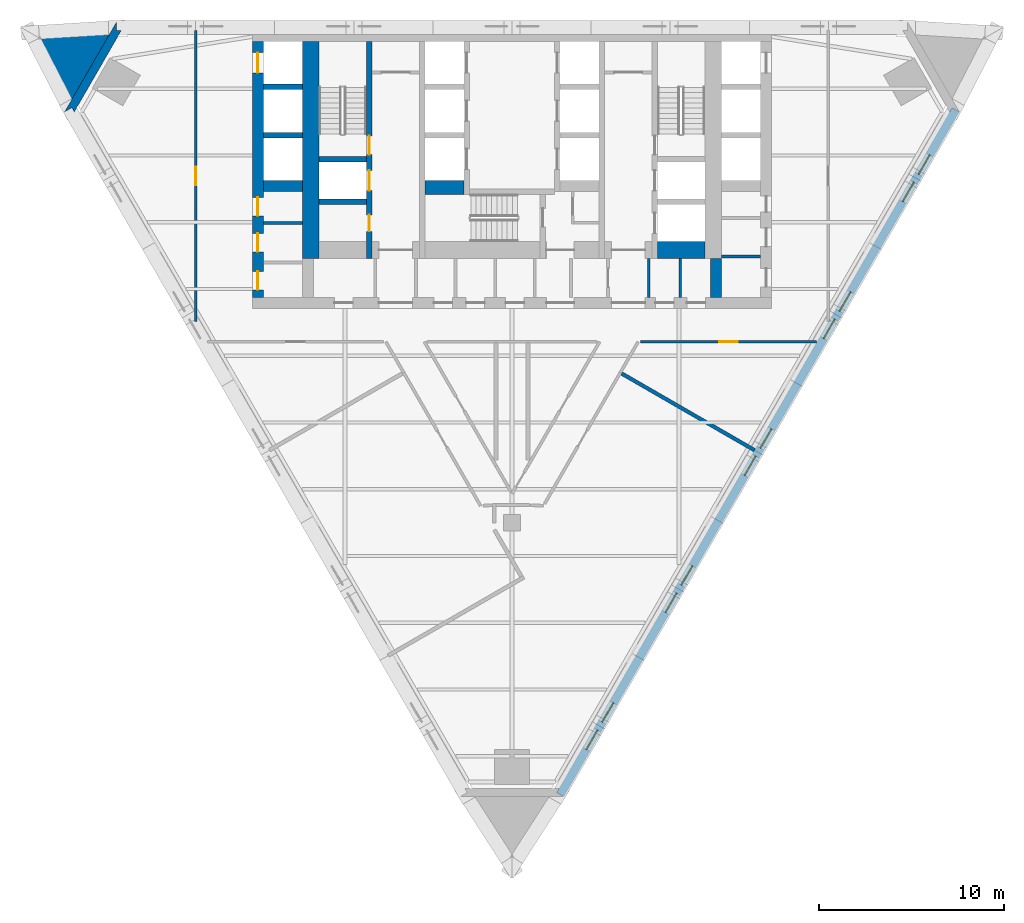
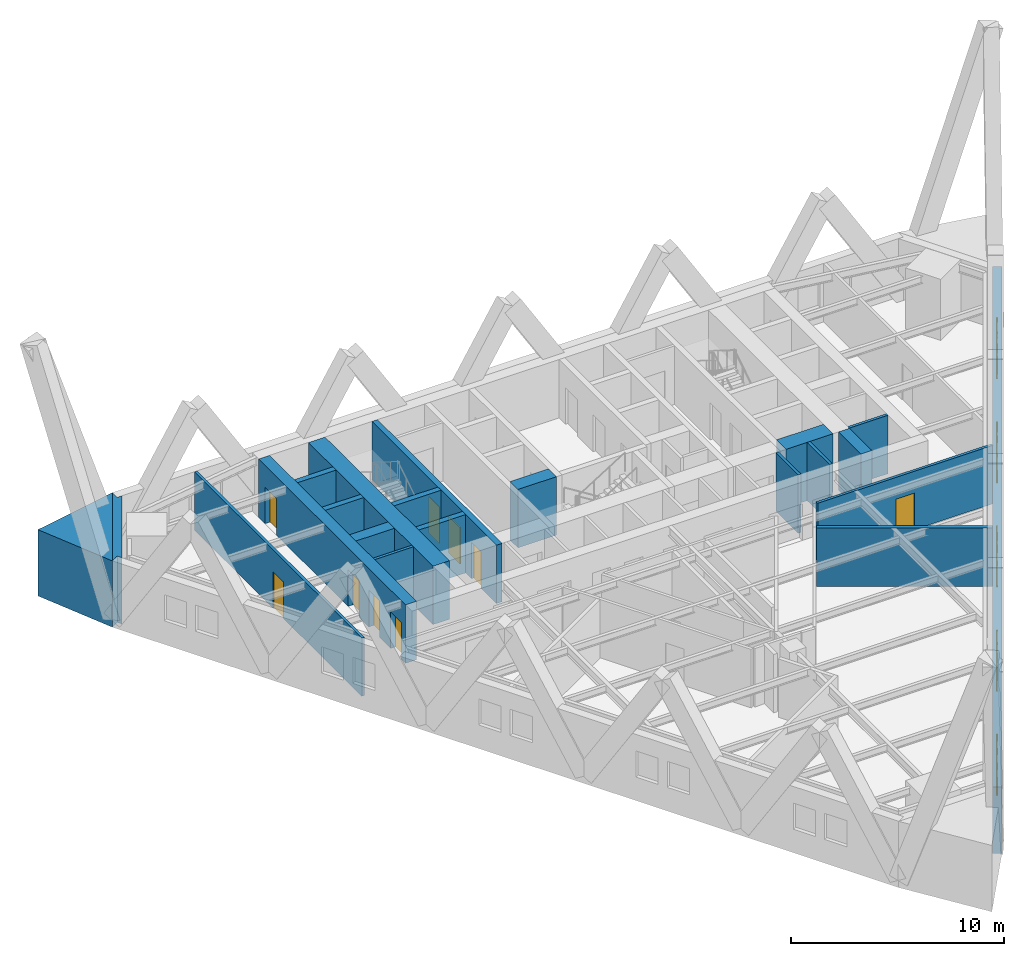
# One storey, part 4 of 7: 21 walls, 10 windows, 9 doors, 19 openings.
"""IFC4 building model written with IfcOpenShell, lengths in metres."""

from ifc_helpers import new_model, si_unit, direction, frame, frame_2d, origin, place, context, subcontext, project, spatial, polyline, rectangle, outline, extrude, material, layer, layer_set, type_object, element, fill, save


model = new_model("IFC4")

# Units and contexts
model_context = context("Model", 3, precision=1e-05, world=origin(), true_north=direction((0.0, 1.0)))
body_context = subcontext(model_context, "Body", "Model", "MODEL_VIEW")
ifc_project = project(units=[si_unit("LENGTHUNIT", "METRE"), si_unit("AREAUNIT", "SQUARE_METRE"), si_unit("VOLUMEUNIT", "CUBIC_METRE"), si_unit("PLANEANGLEUNIT", "RADIAN"), si_unit("MASSUNIT", "GRAM", prefix="KILO")], contexts=[model_context])

# Site, building, storey
site_placement = place(None, origin())
site = spatial("IfcSite", under=ifc_project, at=site_placement, CompositionType="ELEMENT")
building_placement = place(site_placement, origin())
building = spatial("IfcBuilding", under=site, at=building_placement, Name="Aloe Facet Convention Tower", CompositionType="ELEMENT")
storey_placement = place(building_placement, frame((0.0, 0.0, 81.800048828125)))
storey = spatial("IfcBuildingStorey", under=building, at=storey_placement, Name="L19", CompositionType="ELEMENT", Elevation=81.800048828125)

# Walls
ifc_material_1 = material(Name="Concrete blockwork partition", Category="masonry")
ifc_layer_1 = layer(ifc_material_1, 0.14990234375)
ifc_layer_set_1 = layer_set([ifc_layer_1], Name="CR-W-PART150")
wall_type_1 = type_object("IfcWallType", Name="CR-W-PART150", PredefinedType="PARTITIONING", material=ifc_layer_set_1)
wall_1_placement = place(storey_placement, frame((66.60009765625, 124.16455078125, 0.0), z_axis=(0.0, 0.0, 1.0), x_axis=(1.0, 0.0, 0.0)))
element("IfcWall", 1, at=wall_1_placement, inside=storey, type_object=wall_type_1, Name="Core partition L19-007", PredefinedType="PARTITIONING", context=body_context, shape_type="SweptSolid", body=[
    extrude(rectangle(XDim=2.099853515625, YDim=0.14990234375, at=frame_2d((1.0498046875, 0.0))), origin(), (0.0, 0.0, 1.0), 3.349853515625),
])
for number, where, z_axis, x_axis, name in (
    (2, (87.375, 122.25, 0.0), (0.0, 0.0, 1.0), (0.0, -1.0, 0.0), "Core partition L19-042"),
    (3, (89.074951171875, 122.25, 0.0), (0.0, 0.0, 1.0), (0.0, -1.0, 0.0), "Core partition L19-047"),
):
    element("IfcWall", number, at=place(storey_placement, frame(where, z_axis=z_axis, x_axis=x_axis)), inside=storey, type_object=wall_type_1, Name=name, PredefinedType="PARTITIONING", context=body_context, shape_type="SweptSolid", body=[
        extrude(rectangle(XDim=2.10009765625, YDim=0.14990234375, at=frame_2d((1.050048828125, 0.0))), origin(), (0.0, 0.0, 1.0), 3.349853515625),
    ])
wall_2_placement = place(storey_placement, frame((91.300048828125, 122.346435546875, 0.0), z_axis=(0.0, 0.0, 1.0), x_axis=(1.0, 0.0, 0.0)))
element("IfcWall", 4, at=wall_2_placement, inside=storey, type_object=wall_type_1, Name="Core partition L19-054", PredefinedType="PARTITIONING", context=body_context, shape_type="SweptSolid", body=[
    extrude(rectangle(XDim=2.099853515625, YDim=0.14990234375, at=frame_2d((1.0498046875, 0.0))), origin(), (0.0, 0.0, 1.0), 3.349853515625),
])
ifc_material_2 = material(Name="Concrete C70/85", Category="concrete")
ifc_layer_2 = layer(ifc_material_2, 0.300048828125)
ifc_layer_set_2 = layer_set([ifc_layer_2], Name="CR-W-RC300-C7085")
wall_type_2 = type_object("IfcWallType", Name="CR-W-RC300-C7085", PredefinedType="SOLIDWALL", material=ifc_layer_set_2)
for number, where, z_axis, x_axis, name in (
    (5, (66.60009765625, 131.5, 0.0), (0.0, 0.0, 1.0), (1.0, 0.0, 0.0), "Core wall L19-004"),
    (6, (66.60009765625, 128.89990234375, 0.0), (0.0, 0.0, 1.0), (1.0, 0.0, 0.0), "Core wall L19-005"),
):
    element("IfcWall", number, at=place(storey_placement, frame(where, z_axis=z_axis, x_axis=x_axis)), inside=storey, type_object=wall_type_2, Name=name, PredefinedType="SOLIDWALL", context=body_context, shape_type="SweptSolid", body=[
        extrude(rectangle(XDim=2.099853515625, YDim=0.300048828125, at=frame_2d((1.0498046875, 0.0))), origin(), (0.0, 0.0, 1.0), 3.349853515625),
    ])
for number, where, z_axis, x_axis, name in (
    (7, (69.60009765625, 127.60009765625, 0.0), (0.0, 0.0, 1.0), (1.0, 0.0, 0.0), "Core wall L19-011"),
    (8, (69.60009765625, 125.300048828125, 0.0), (0.0, 0.0, 1.0), (1.0, 0.0, 0.0), "Core wall L19-012"),
):
    element("IfcWall", number, at=place(storey_placement, frame(where, z_axis=z_axis, x_axis=x_axis)), inside=storey, type_object=wall_type_2, Name=name, PredefinedType="SOLIDWALL", context=body_context, shape_type="SweptSolid", body=[
        extrude(rectangle(XDim=2.5498046875, YDim=0.300048828125, at=frame_2d((1.27490234375, 0.0))), origin(), (0.0, 0.0, 1.0), 3.349853515625),
    ])

# Wall, openings, doors
wall_3_placement = place(storey_placement, frame((72.300048828125, 133.949951171875, 0.0), z_axis=(0.0, 0.0, 1.0), x_axis=(0.0, -1.0, 0.0)))
wall_3 = element("IfcWall", 9, at=wall_3_placement, inside=storey, type_object=wall_type_2, Name="Core wall L19-014", PredefinedType="SOLIDWALL", context=body_context, shape_type="SweptSolid", body=[
    extrude(rectangle(XDim=11.699951171875, YDim=0.300048828125, at=frame_2d((5.85009765625, 0.0))), origin(), (0.0, 0.0, 1.0), 3.349853515625),
])
opening_1_placement = place(wall_3_placement, frame((6.949951171875, 0.0, 0.0)))
opening_1 = element("IfcOpeningElement", 10, at=opening_1_placement, cuts=wall_3, Name="Opening LD-FF1-L19", PredefinedType="OPENING", context=body_context, shape_type="SweptSolid", body=[
    extrude(rectangle(XDim=1.10009765625, YDim=2.10009765625, at=frame_2d((0.550048828125, 1.050048828125))), frame((0.0, 0.16015625, 0.0), z_axis=(0.0, -1.0, 0.0), x_axis=(1.0, 0.0, 0.0)), (0.0, 0.0, 1.0), 0.320068359375),
])
opening_2_placement = place(wall_3_placement, frame((9.35009765625, 0.0, 0.0)))
opening_2 = element("IfcOpeningElement", 11, at=opening_2_placement, cuts=wall_3, Name="Opening L19-CD23", PredefinedType="OPENING", context=body_context, shape_type="SweptSolid", body=[
    extrude(rectangle(XDim=0.89990234375, YDim=2.10009765625, at=frame_2d((0.449951171875, 1.050048828125))), frame((0.0, 0.16015625, 0.0), z_axis=(0.0, -1.0, 0.0), x_axis=(1.0, 0.0, 0.0)), (0.0, 0.0, 1.0), 0.320068359375),
])
opening_3_placement = place(wall_3_placement, frame((5.10009765625, 0.0, 0.0)))
opening_3 = element("IfcOpeningElement", 12, at=opening_3_placement, cuts=wall_3, Name="Opening L19-CD31", PredefinedType="OPENING", context=body_context, shape_type="SweptSolid", body=[
    extrude(rectangle(XDim=1.0, YDim=2.10009765625, at=frame_2d((0.5, 1.050048828125))), frame((0.0, 0.16015625, 0.0), z_axis=(0.0, -1.0, 0.0), x_axis=(1.0, 0.0, 0.0)), (0.0, 0.0, 1.0), 0.320068359375),
])
ifc_material_3 = material(Name="Steel fire-resisting door set FD60", Category="steel")
door_type_1 = type_object("IfcDoorType", Name="CR-D-ROOM-900-FD60-SLEFT", OperationType="SINGLE_SWING_LEFT", PredefinedType="DOOR", material=ifc_material_3)
door_1_placement = place(opening_2_placement, origin())
door_1 = element("IfcDoor", 13, at=door_1_placement, inside=storey, type_object=door_type_1, Name="Core door L19-CD23", OperationType="SINGLE_SWING_LEFT", OverallHeight=2.10009765625, OverallWidth=0.89990234375, PredefinedType="DOOR", context=body_context, shape_type="SweptSolid", body=[
    extrude(rectangle(XDim=0.89990234375, YDim=2.10009765625, at=frame_2d((0.449951171875, 1.050048828125))), frame((0.0, 0.02490234375, 0.0), z_axis=(0.0, -1.0, 0.0), x_axis=(1.0, 0.0, 0.0)), (0.0, 0.0, 1.0), 0.050048828125),
])
fill(opening_2, door_1)
ifc_material_4 = material(Name="Steel fire-resisting door set FD120", Category="steel")
door_type_2 = type_object("IfcDoorType", Name="CR-D-STAIR-1000-FD120-SRIGHT", OperationType="SINGLE_SWING_RIGHT", PredefinedType="DOOR", material=ifc_material_4)
door_2_placement = place(opening_3_placement, origin())
door_2 = element("IfcDoor", 14, at=door_2_placement, inside=storey, type_object=door_type_2, Name="Core door L19-CD31", OperationType="SINGLE_SWING_RIGHT", OverallHeight=2.10009765625, OverallWidth=1.0, PredefinedType="DOOR", context=body_context, shape_type="SweptSolid", body=[
    extrude(rectangle(XDim=1.0, YDim=2.10009765625, at=frame_2d((0.5, 1.050048828125))), frame((0.0, 0.02490234375, 0.0), z_axis=(0.0, -1.0, 0.0), x_axis=(1.0, 0.0, 0.0)), (0.0, 0.0, 1.0), 0.050048828125),
])
fill(opening_3, door_2)
ifc_material_5 = material(Name="Stainless steel sliding landing door", Category="steel")
door_type_3 = type_object("IfcDoorType", Name="CR-LD-1100-FD120-_LEFT", OperationType="SLIDING_TO_LEFT", PredefinedType="DOOR", material=ifc_material_5)
door_3_placement = place(opening_1_placement, origin())
door_3 = element("IfcDoor", 15, at=door_3_placement, inside=storey, type_object=door_type_3, Name="Landing door FF1 L19", OperationType="SLIDING_TO_LEFT", OverallHeight=2.10009765625, OverallWidth=1.10009765625, PredefinedType="DOOR", context=body_context, shape_type="SweptSolid", body=[
    extrude(rectangle(XDim=1.10009765625, YDim=2.10009765625, at=frame_2d((0.550048828125, 1.050048828125))), frame((0.0, 0.02490234375, 0.0), z_axis=(0.0, -1.0, 0.0), x_axis=(1.0, 0.0, 0.0)), (0.0, 0.0, 1.0), 0.050048828125),
])
fill(opening_1, door_3)

ifc_material_6 = material(Name="Concrete C70/85", Category="concrete")
ifc_layer_3 = layer(ifc_material_6, 0.60009765625)
ifc_layer_set_3 = layer_set([ifc_layer_3], Name="CR-W-RC600-C7085")
wall_type_3 = type_object("IfcWallType", Name="CR-W-RC600-C7085", PredefinedType="SOLIDWALL", material=ifc_layer_set_3)
wall_4_placement = place(storey_placement, frame((66.300048828125, 133.949951171875, 0.0), z_axis=(0.0, 0.0, 1.0), x_axis=(0.0, -1.0, 0.0)))
wall_4 = element("IfcWall", 16, at=wall_4_placement, inside=storey, type_object=wall_type_3, Name="Core wall L19-002", PredefinedType="SOLIDWALL", context=body_context, shape_type="SweptSolid", body=[
    extrude(rectangle(XDim=13.800048828125, YDim=0.60009765625, at=frame_2d((6.89990234375, 0.0))), origin(), (0.0, 0.0, 1.0), 3.349853515625),
])
opening_4_placement = place(wall_4_placement, frame((0.60009765625, 0.0, 0.0)))
opening_4 = element("IfcOpeningElement", 17, at=opening_4_placement, cuts=wall_4, Name="Opening LD-A7-L19", PredefinedType="OPENING", context=body_context, shape_type="SweptSolid", body=[
    extrude(rectangle(XDim=1.10009765625, YDim=2.10009765625, at=frame_2d((0.550048828125, 1.050048828125))), frame((0.0, 0.31005859375, 0.0), z_axis=(0.0, -1.0, 0.0), x_axis=(1.0, 0.0, 0.0)), (0.0, 0.0, 1.0), 0.6201171875),
])
opening_5_placement = place(wall_4_placement, frame((8.4052734375, 0.0, 0.0)))
opening_5 = element("IfcOpeningElement", 18, at=opening_5_placement, cuts=wall_4, Name="Opening L19-CD35", PredefinedType="OPENING", context=body_context, shape_type="SweptSolid", body=[
    extrude(rectangle(XDim=1.0, YDim=2.10009765625, at=frame_2d((0.5, 1.050048828125))), frame((0.0, 0.31005859375, 0.0), z_axis=(0.0, -1.0, 0.0), x_axis=(1.0, 0.0, 0.0)), (0.0, 0.0, 1.0), 0.6201171875),
])
opening_6_placement = place(wall_4_placement, frame((10.355224609375, 0.0, 0.0)))
opening_6 = element("IfcOpeningElement", 19, at=opening_6_placement, cuts=wall_4, Name="Opening L19-CD36", PredefinedType="OPENING", context=body_context, shape_type="SweptSolid", body=[
    extrude(rectangle(XDim=1.0, YDim=2.10009765625, at=frame_2d((0.5, 1.050048828125))), frame((0.0, 0.31005859375, 0.0), z_axis=(0.0, -1.0, 0.0), x_axis=(1.0, 0.0, 0.0)), (0.0, 0.0, 1.0), 0.6201171875),
])
opening_7_placement = place(wall_4_placement, frame((12.39990234375, 0.0, 0.0)))
opening_7 = element("IfcOpeningElement", 20, at=opening_7_placement, cuts=wall_4, Name="Opening L19-CD37", PredefinedType="OPENING", context=body_context, shape_type="SweptSolid", body=[
    extrude(rectangle(XDim=1.0, YDim=2.10009765625, at=frame_2d((0.5, 1.050048828125))), frame((0.0, 0.31005859375, 0.0), z_axis=(0.0, -1.0, 0.0), x_axis=(1.0, 0.0, 0.0)), (0.0, 0.0, 1.0), 0.6201171875),
])
ifc_material_7 = material(Name="Steel fire-resisting door set FD60", Category="steel")
door_type_4 = type_object("IfcDoorType", Name="CR-D-ROOM-1000-FD60-SLEFT", OperationType="SINGLE_SWING_LEFT", PredefinedType="DOOR", material=ifc_material_7)
door_4_placement = place(opening_5_placement, origin())
door_4 = element("IfcDoor", 21, at=door_4_placement, inside=storey, type_object=door_type_4, Name="Core door L19-CD35", OperationType="SINGLE_SWING_LEFT", OverallHeight=2.10009765625, OverallWidth=1.0, PredefinedType="DOOR", context=body_context, shape_type="SweptSolid", body=[
    extrude(rectangle(XDim=1.0, YDim=2.10009765625, at=frame_2d((0.5, 1.050048828125))), frame((0.0, 0.02490234375, 0.0), z_axis=(0.0, -1.0, 0.0), x_axis=(1.0, 0.0, 0.0)), (0.0, 0.0, 1.0), 0.050048828125),
])
fill(opening_5, door_4)
door_5_placement = place(opening_6_placement, origin())
door_5 = element("IfcDoor", 22, at=door_5_placement, inside=storey, type_object=door_type_4, Name="Core door L19-CD36", OperationType="SINGLE_SWING_LEFT", OverallHeight=2.10009765625, OverallWidth=1.0, PredefinedType="DOOR", context=body_context, shape_type="SweptSolid", body=[
    extrude(rectangle(XDim=1.0, YDim=2.10009765625, at=frame_2d((0.5, 1.050048828125))), frame((0.0, 0.02490234375, 0.0), z_axis=(0.0, -1.0, 0.0), x_axis=(1.0, 0.0, 0.0)), (0.0, 0.0, 1.0), 0.050048828125),
])
fill(opening_6, door_5)
door_6_placement = place(opening_7_placement, origin())
door_6 = element("IfcDoor", 23, at=door_6_placement, inside=storey, type_object=door_type_4, Name="Core door L19-CD37", OperationType="SINGLE_SWING_LEFT", OverallHeight=2.10009765625, OverallWidth=1.0, PredefinedType="DOOR", context=body_context, shape_type="SweptSolid", body=[
    extrude(rectangle(XDim=1.0, YDim=2.10009765625, at=frame_2d((0.5, 1.050048828125))), frame((0.0, 0.02490234375, 0.0), z_axis=(0.0, -1.0, 0.0), x_axis=(1.0, 0.0, 0.0)), (0.0, 0.0, 1.0), 0.050048828125),
])
fill(opening_7, door_6)
ifc_material_8 = material(Name="Stainless steel sliding landing door", Category="steel")
door_type_5 = type_object("IfcDoorType", Name="CR-LD-1100-FD60-_LEFT", OperationType="SLIDING_TO_LEFT", PredefinedType="DOOR", material=ifc_material_8)
door_7_placement = place(opening_4_placement, origin())
door_7 = element("IfcDoor", 24, at=door_7_placement, inside=storey, type_object=door_type_5, Name="Landing door A7 L19", OperationType="SLIDING_TO_LEFT", OverallHeight=2.10009765625, OverallWidth=1.10009765625, PredefinedType="DOOR", context=body_context, shape_type="SweptSolid", body=[
    extrude(rectangle(XDim=1.10009765625, YDim=2.10009765625, at=frame_2d((0.550048828125, 1.050048828125))), frame((0.0, 0.02490234375, 0.0), z_axis=(0.0, -1.0, 0.0), x_axis=(1.0, 0.0, 0.0)), (0.0, 0.0, 1.0), 0.050048828125),
])
fill(opening_4, door_7)

# Walls
wall_5_placement = place(storey_placement, frame((66.60009765625, 126.14990234375, 0.0), z_axis=(0.0, 0.0, 1.0), x_axis=(1.0, 0.0, 0.0)))
element("IfcWall", 25, at=wall_5_placement, inside=storey, type_object=wall_type_3, Name="Core wall L19-006", PredefinedType="SOLIDWALL", context=body_context, shape_type="SweptSolid", body=[
    extrude(rectangle(XDim=2.099853515625, YDim=0.60009765625, at=frame_2d((1.0498046875, 0.0))), origin(), (0.0, 0.0, 1.0), 3.349853515625),
])
wall_6_placement = place(storey_placement, frame((91.0, 122.25, 0.0), z_axis=(0.0, 0.0, 1.0), x_axis=(0.0, -1.0, 0.0)))
element("IfcWall", 26, at=wall_6_placement, inside=storey, type_object=wall_type_3, Name="Core wall L19-049", PredefinedType="SOLIDWALL", context=body_context, shape_type="SweptSolid", body=[
    extrude(rectangle(XDim=2.10009765625, YDim=0.60009765625, at=frame_2d((1.050048828125, 0.0))), origin(), (0.0, 0.0, 1.0), 3.349853515625),
])
ifc_material_9 = material(Name="Concrete C70/85", Category="concrete")
ifc_layer_4 = layer(ifc_material_9, 0.75)
ifc_layer_set_4 = layer_set([ifc_layer_4], Name="CR-W-RC750-C7085")
wall_type_4 = type_object("IfcWallType", Name="CR-W-RC750-C7085", PredefinedType="SOLIDWALL", material=ifc_layer_set_4)
wall_7_placement = place(storey_placement, frame((75.300048828125, 126.074951171875, 0.0), z_axis=(0.0, 0.0, 1.0), x_axis=(1.0, 0.0, 0.0)))
element("IfcWall", 27, at=wall_7_placement, inside=storey, type_object=wall_type_4, Name="Core wall L19-022", PredefinedType="SOLIDWALL", context=body_context, shape_type="SweptSolid", body=[
    extrude(rectangle(XDim=2.099853515625, YDim=0.75, at=frame_2d((1.0498046875, 0.0))), origin(), (0.0, 0.0, 1.0), 3.349853515625),
])
ifc_material_10 = material(Name="Concrete C70/85", Category="concrete")
ifc_layer_5 = layer(ifc_material_10, 0.89990234375)
ifc_layer_set_5 = layer_set([ifc_layer_5], Name="CR-W-RC900-C7085")
wall_type_5 = type_object("IfcWallType", Name="CR-W-RC900-C7085", PredefinedType="SOLIDWALL", material=ifc_layer_set_5)
wall_8_placement = place(storey_placement, frame((69.14990234375, 133.949951171875, 0.0), z_axis=(0.0, 0.0, 1.0), x_axis=(0.0, -1.0, 0.0)))
element("IfcWall", 28, at=wall_8_placement, inside=storey, type_object=wall_type_5, Name="Core wall L19-009", PredefinedType="SOLIDWALL", context=body_context, shape_type="SweptSolid", body=[
    extrude(rectangle(XDim=11.699951171875, YDim=0.89990234375, at=frame_2d((5.85009765625, 0.0))), origin(), (0.0, 0.0, 1.0), 3.349853515625),
])
wall_9_placement = place(storey_placement, frame((87.85009765625, 122.699951171875, 0.0), z_axis=(0.0, 0.0, 1.0), x_axis=(1.0, 0.0, 0.0)))
element("IfcWall", 29, at=wall_9_placement, inside=storey, type_object=wall_type_5, Name="Core wall L19-046", PredefinedType="SOLIDWALL", context=body_context, shape_type="SweptSolid", body=[
    extrude(rectangle(XDim=2.5498046875, YDim=0.89990234375, at=frame_2d((1.27490234375, 0.0))), origin(), (0.0, 0.0, 1.0), 3.349853515625),
])
ifc_material_11 = material(Name="Precast concrete C40/50", Category="concrete")
ifc_layer_6 = layer(ifc_material_11, 0.449951171875)
ifc_layer_set_6 = layer_set([ifc_layer_6], Name="EV-WALL-PIER")
wall_type_6 = type_object("IfcWallType", Name="EV-WALL-PIER", PredefinedType="SOLIDWALL", material=ifc_layer_set_6)
wall_10_placement = place(storey_placement, frame((0.0, 0.0, -0.449951171875)))
element("IfcWall", 30, at=wall_10_placement, inside=storey, type_object=wall_type_6, Name="EP-L19-A", PredefinedType="SOLIDWALL", context=body_context, shape_type="SweptSolid", body=[
    extrude(outline(polyline([(58.678466796875, 135.0), (58.678466796875, 134.550048828125), (58.938232421875, 134.550048828125), (56.398193359375, 130.150146484375), (56.26806640625, 130.375244140625), (55.87841796875, 130.150146484375), (58.678466796875, 135.0)])), origin(), (0.0, 0.0, 1.0), 3.7998046875),
])
ifc_material_12 = material(Name="Precast concrete C40/50", Category="concrete")
ifc_layer_7 = layer(ifc_material_12, 3.947998046875)
ifc_layer_set_7 = layer_set([ifc_layer_7], Name="EV-WALL-SPINE")
wall_type_7 = type_object("IfcWallType", Name="EV-WALL-SPINE", PredefinedType="SOLIDWALL", material=ifc_layer_set_7)
wall_11_placement = place(storey_placement, frame((0.0, 0.0, -0.449951171875)))
element("IfcWall", 31, at=wall_11_placement, inside=storey, type_object=wall_type_7, Name="SP-NW-L19", PredefinedType="SOLIDWALL", context=body_context, shape_type="SweptSolid", body=[
    extrude(outline(polyline([(58.678466796875, 135.0), (54.129150390625, 134.123779296875), (55.87841796875, 130.150146484375), (58.678466796875, 135.0)])), origin(), (0.0, 0.0, 1.0), 3.7998046875),
])

# Wall, openings, windows
ifc_material_13 = material(Name="Precast concrete C40/50", Category="concrete")
ifc_layer_8 = layer(ifc_material_13, 0.449951171875)
ifc_layer_set_8 = layer_set([ifc_layer_8], Name="EV-WALL-STONE")
wall_type_8 = type_object("IfcWallType", Name="EV-WALL-STONE", PredefinedType="SOLIDWALL", material=ifc_layer_set_8)
wall_12_placement = place(storey_placement, frame((82.605224609375, 93.332763671875, -0.449951171875), z_axis=(0.0, 0.0, 1.0), x_axis=(0.500000478905, 0.866025127289, 0.0)))
wall_12 = element("IfcWall", 32, at=wall_12_placement, inside=storey, type_object=wall_type_8, Name="EW-L19-E01", PredefinedType="SOLIDWALL", context=body_context, shape_type="SweptSolid", body=[
    extrude(outline(polyline([(42.64306640625, 0.0), (42.64306640625, 3.7998046875), (0.0, 3.7998046875), (0.0, 0.0), (42.64306640625, 0.0)])), frame((0.0, 0.22509765625, 0.0), z_axis=(0.0, -1.0, 0.0), x_axis=(1.0, 0.0, 0.0)), (0.0, 0.0, 1.0), 0.449951171875),
])
opening_8_placement = place(wall_12_placement, frame((2.814208984375, 0.0, 1.35009765625)))
opening_8 = element("IfcOpeningElement", 33, at=opening_8_placement, cuts=wall_12, Name="Opening W-L19-E01", PredefinedType="OPENING", context=body_context, shape_type="SweptSolid", body=[
    extrude(rectangle(XDim=1.199951171875, YDim=1.5, at=frame_2d((0.60009765625, 0.75))), frame((0.0, 0.23486328125, 0.0), z_axis=(0.0, -1.0, 0.0), x_axis=(1.0, 0.0, 0.0)), (0.0, 0.0, 1.0), 0.469970703125),
])
opening_9_placement = place(wall_12_placement, frame((4.514404296875, 0.0, 1.35009765625)))
opening_9 = element("IfcOpeningElement", 34, at=opening_9_placement, cuts=wall_12, Name="Opening W-L19-E02", PredefinedType="OPENING", context=body_context, shape_type="SweptSolid", body=[
    extrude(rectangle(XDim=1.199951171875, YDim=1.5, at=frame_2d((0.60009765625, 0.75))), frame((0.0, 0.23486328125, 0.0), z_axis=(0.0, -1.0, 0.0), x_axis=(1.0, 0.0, 0.0)), (0.0, 0.0, 1.0), 0.469970703125),
])
opening_10_placement = place(wall_12_placement, frame((11.343017578125, 0.0, 1.35009765625)))
opening_10 = element("IfcOpeningElement", 35, at=opening_10_placement, cuts=wall_12, Name="Opening W-L19-E03", PredefinedType="OPENING", context=body_context, shape_type="SweptSolid", body=[
    extrude(rectangle(XDim=1.199951171875, YDim=1.5, at=frame_2d((0.60009765625, 0.75))), frame((0.0, 0.23486328125, 0.0), z_axis=(0.0, -1.0, 0.0), x_axis=(1.0, 0.0, 0.0)), (0.0, 0.0, 1.0), 0.469970703125),
])
opening_11_placement = place(wall_12_placement, frame((13.04296875, 0.0, 1.35009765625)))
opening_11 = element("IfcOpeningElement", 36, at=opening_11_placement, cuts=wall_12, Name="Opening W-L19-E04", PredefinedType="OPENING", context=body_context, shape_type="SweptSolid", body=[
    extrude(rectangle(XDim=1.199951171875, YDim=1.5, at=frame_2d((0.60009765625, 0.75))), frame((0.0, 0.23486328125, 0.0), z_axis=(0.0, -1.0, 0.0), x_axis=(1.0, 0.0, 0.0)), (0.0, 0.0, 1.0), 0.469970703125),
])
opening_12_placement = place(wall_12_placement, frame((19.87158203125, 0.0, 1.35009765625)))
opening_12 = element("IfcOpeningElement", 37, at=opening_12_placement, cuts=wall_12, Name="Opening W-L19-E05", PredefinedType="OPENING", context=body_context, shape_type="SweptSolid", body=[
    extrude(rectangle(XDim=1.199951171875, YDim=1.5, at=frame_2d((0.60009765625, 0.75))), frame((0.0, 0.23486328125, 0.0), z_axis=(0.0, -1.0, 0.0), x_axis=(1.0, 0.0, 0.0)), (0.0, 0.0, 1.0), 0.469970703125),
])
opening_13_placement = place(wall_12_placement, frame((21.571533203125, 0.0, 1.35009765625)))
opening_13 = element("IfcOpeningElement", 38, at=opening_13_placement, cuts=wall_12, Name="Opening W-L19-E06", PredefinedType="OPENING", context=body_context, shape_type="SweptSolid", body=[
    extrude(rectangle(XDim=1.199951171875, YDim=1.5, at=frame_2d((0.60009765625, 0.75))), frame((0.0, 0.23486328125, 0.0), z_axis=(0.0, -1.0, 0.0), x_axis=(1.0, 0.0, 0.0)), (0.0, 0.0, 1.0), 0.469970703125),
])
opening_14_placement = place(wall_12_placement, frame((28.400146484375, 0.0, 1.35009765625)))
opening_14 = element("IfcOpeningElement", 39, at=opening_14_placement, cuts=wall_12, Name="Opening W-L19-E07", PredefinedType="OPENING", context=body_context, shape_type="SweptSolid", body=[
    extrude(rectangle(XDim=1.199951171875, YDim=1.5, at=frame_2d((0.60009765625, 0.75))), frame((0.0, 0.23486328125, 0.0), z_axis=(0.0, -1.0, 0.0), x_axis=(1.0, 0.0, 0.0)), (0.0, 0.0, 1.0), 0.469970703125),
])
opening_15_placement = place(wall_12_placement, frame((30.10009765625, 0.0, 1.35009765625)))
opening_15 = element("IfcOpeningElement", 40, at=opening_15_placement, cuts=wall_12, Name="Opening W-L19-E08", PredefinedType="OPENING", context=body_context, shape_type="SweptSolid", body=[
    extrude(rectangle(XDim=1.199951171875, YDim=1.5, at=frame_2d((0.60009765625, 0.75))), frame((0.0, 0.23486328125, 0.0), z_axis=(0.0, -1.0, 0.0), x_axis=(1.0, 0.0, 0.0)), (0.0, 0.0, 1.0), 0.469970703125),
])
opening_16_placement = place(wall_12_placement, frame((36.9287109375, 0.0, 1.35009765625)))
opening_16 = element("IfcOpeningElement", 41, at=opening_16_placement, cuts=wall_12, Name="Opening W-L19-E09", PredefinedType="OPENING", context=body_context, shape_type="SweptSolid", body=[
    extrude(rectangle(XDim=1.199951171875, YDim=1.5, at=frame_2d((0.60009765625, 0.75))), frame((0.0, 0.23486328125, 0.0), z_axis=(0.0, -1.0, 0.0), x_axis=(1.0, 0.0, 0.0)), (0.0, 0.0, 1.0), 0.469970703125),
])
opening_17_placement = place(wall_12_placement, frame((38.628662109375, 0.0, 1.35009765625)))
opening_17 = element("IfcOpeningElement", 42, at=opening_17_placement, cuts=wall_12, Name="Opening W-L19-E10", PredefinedType="OPENING", context=body_context, shape_type="SweptSolid", body=[
    extrude(rectangle(XDim=1.199951171875, YDim=1.5, at=frame_2d((0.60009765625, 0.75))), frame((0.0, 0.23486328125, 0.0), z_axis=(0.0, -1.0, 0.0), x_axis=(1.0, 0.0, 0.0)), (0.0, 0.0, 1.0), 0.469970703125),
])
ifc_material_14 = material(Name="Aluminium frame, clear double glazing", Category="aluminium")
window_type = type_object("IfcWindowType", Name="EV-WIN-H12", PartitioningType="SINGLE_PANEL", PredefinedType="WINDOW", material=ifc_material_14)
window_1_placement = place(opening_8_placement, origin())
window_1 = element("IfcWindow", 43, at=window_1_placement, inside=storey, type_object=window_type, Name="W-L19-E01", OverallHeight=1.5, OverallWidth=1.199951171875, PartitioningType="SINGLE_PANEL", PredefinedType="WINDOW", context=body_context, shape_type="SweptSolid", body=[
    extrude(rectangle(XDim=1.199951171875, YDim=1.5, at=frame_2d((0.60009765625, 0.75))), frame((0.0, 0.030029296875, 0.0), z_axis=(0.0, -1.0, 0.0), x_axis=(1.0, 0.0, 0.0)), (0.0, 0.0, 1.0), 0.06005859375),
])
fill(opening_8, window_1)
window_2_placement = place(opening_9_placement, origin())
window_2 = element("IfcWindow", 44, at=window_2_placement, inside=storey, type_object=window_type, Name="W-L19-E02", OverallHeight=1.5, OverallWidth=1.199951171875, PartitioningType="SINGLE_PANEL", PredefinedType="WINDOW", context=body_context, shape_type="SweptSolid", body=[
    extrude(rectangle(XDim=1.199951171875, YDim=1.5, at=frame_2d((0.60009765625, 0.75))), frame((0.0, 0.030029296875, 0.0), z_axis=(0.0, -1.0, 0.0), x_axis=(1.0, 0.0, 0.0)), (0.0, 0.0, 1.0), 0.06005859375),
])
fill(opening_9, window_2)
window_3_placement = place(opening_10_placement, origin())
window_3 = element("IfcWindow", 45, at=window_3_placement, inside=storey, type_object=window_type, Name="W-L19-E03", OverallHeight=1.5, OverallWidth=1.199951171875, PartitioningType="SINGLE_PANEL", PredefinedType="WINDOW", context=body_context, shape_type="SweptSolid", body=[
    extrude(rectangle(XDim=1.199951171875, YDim=1.5, at=frame_2d((0.60009765625, 0.75))), frame((0.0, 0.030029296875, 0.0), z_axis=(0.0, -1.0, 0.0), x_axis=(1.0, 0.0, 0.0)), (0.0, 0.0, 1.0), 0.06005859375),
])
fill(opening_10, window_3)
window_4_placement = place(opening_11_placement, origin())
window_4 = element("IfcWindow", 46, at=window_4_placement, inside=storey, type_object=window_type, Name="W-L19-E04", OverallHeight=1.5, OverallWidth=1.199951171875, PartitioningType="SINGLE_PANEL", PredefinedType="WINDOW", context=body_context, shape_type="SweptSolid", body=[
    extrude(rectangle(XDim=1.199951171875, YDim=1.5, at=frame_2d((0.60009765625, 0.75))), frame((0.0, 0.030029296875, 0.0), z_axis=(0.0, -1.0, 0.0), x_axis=(1.0, 0.0, 0.0)), (0.0, 0.0, 1.0), 0.06005859375),
])
fill(opening_11, window_4)
window_5_placement = place(opening_12_placement, origin())
window_5 = element("IfcWindow", 47, at=window_5_placement, inside=storey, type_object=window_type, Name="W-L19-E05", OverallHeight=1.5, OverallWidth=1.199951171875, PartitioningType="SINGLE_PANEL", PredefinedType="WINDOW", context=body_context, shape_type="SweptSolid", body=[
    extrude(rectangle(XDim=1.199951171875, YDim=1.5, at=frame_2d((0.60009765625, 0.75))), frame((0.0, 0.030029296875, 0.0), z_axis=(0.0, -1.0, 0.0), x_axis=(1.0, 0.0, 0.0)), (0.0, 0.0, 1.0), 0.06005859375),
])
fill(opening_12, window_5)
window_6_placement = place(opening_13_placement, origin())
window_6 = element("IfcWindow", 48, at=window_6_placement, inside=storey, type_object=window_type, Name="W-L19-E06", OverallHeight=1.5, OverallWidth=1.199951171875, PartitioningType="SINGLE_PANEL", PredefinedType="WINDOW", context=body_context, shape_type="SweptSolid", body=[
    extrude(rectangle(XDim=1.199951171875, YDim=1.5, at=frame_2d((0.60009765625, 0.75))), frame((0.0, 0.030029296875, 0.0), z_axis=(0.0, -1.0, 0.0), x_axis=(1.0, 0.0, 0.0)), (0.0, 0.0, 1.0), 0.06005859375),
])
fill(opening_13, window_6)
window_7_placement = place(opening_14_placement, origin())
window_7 = element("IfcWindow", 49, at=window_7_placement, inside=storey, type_object=window_type, Name="W-L19-E07", OverallHeight=1.5, OverallWidth=1.199951171875, PartitioningType="SINGLE_PANEL", PredefinedType="WINDOW", context=body_context, shape_type="SweptSolid", body=[
    extrude(rectangle(XDim=1.199951171875, YDim=1.5, at=frame_2d((0.60009765625, 0.75))), frame((0.0, 0.030029296875, 0.0), z_axis=(0.0, -1.0, 0.0), x_axis=(1.0, 0.0, 0.0)), (0.0, 0.0, 1.0), 0.06005859375),
])
fill(opening_14, window_7)
window_8_placement = place(opening_15_placement, origin())
window_8 = element("IfcWindow", 50, at=window_8_placement, inside=storey, type_object=window_type, Name="W-L19-E08", OverallHeight=1.5, OverallWidth=1.199951171875, PartitioningType="SINGLE_PANEL", PredefinedType="WINDOW", context=body_context, shape_type="SweptSolid", body=[
    extrude(rectangle(XDim=1.199951171875, YDim=1.5, at=frame_2d((0.60009765625, 0.75))), frame((0.0, 0.030029296875, 0.0), z_axis=(0.0, -1.0, 0.0), x_axis=(1.0, 0.0, 0.0)), (0.0, 0.0, 1.0), 0.06005859375),
])
fill(opening_15, window_8)
window_9_placement = place(opening_16_placement, origin())
window_9 = element("IfcWindow", 51, at=window_9_placement, inside=storey, type_object=window_type, Name="W-L19-E09", OverallHeight=1.5, OverallWidth=1.199951171875, PartitioningType="SINGLE_PANEL", PredefinedType="WINDOW", context=body_context, shape_type="SweptSolid", body=[
    extrude(rectangle(XDim=1.199951171875, YDim=1.5, at=frame_2d((0.60009765625, 0.75))), frame((0.0, 0.030029296875, 0.0), z_axis=(0.0, -1.0, 0.0), x_axis=(1.0, 0.0, 0.0)), (0.0, 0.0, 1.0), 0.06005859375),
])
fill(opening_16, window_9)
window_10_placement = place(opening_17_placement, origin())
window_10 = element("IfcWindow", 52, at=window_10_placement, inside=storey, type_object=window_type, Name="W-L19-E10", OverallHeight=1.5, OverallWidth=1.199951171875, PartitioningType="SINGLE_PANEL", PredefinedType="WINDOW", context=body_context, shape_type="SweptSolid", body=[
    extrude(rectangle(XDim=1.199951171875, YDim=1.5, at=frame_2d((0.60009765625, 0.75))), frame((0.0, 0.030029296875, 0.0), z_axis=(0.0, -1.0, 0.0), x_axis=(1.0, 0.0, 0.0)), (0.0, 0.0, 1.0), 0.06005859375),
])
fill(opening_17, window_10)

# Wall, opening, door
ifc_material_15 = material(Name="Gypsum board partition on steel studs", Category="steel")
ifc_layer_9 = layer(ifc_material_15, 0.14990234375)
ifc_layer_set_9 = layer_set([ifc_layer_9], Name="IN-W-CORR")
wall_type_9 = type_object("IfcWallType", Name="IN-W-CORR", PredefinedType="PARTITIONING", material=ifc_layer_set_9)
wall_13_placement = place(storey_placement, frame((86.9306640625, 117.75, 0.0), z_axis=(0.0, 0.0, 1.0), x_axis=(1.0, 0.0, 0.0)))
wall_13 = element("IfcWall", 53, at=wall_13_placement, inside=storey, type_object=wall_type_9, Name="Partition L19-W025", PredefinedType="PARTITIONING", context=body_context, shape_type="SweptSolid", body=[
    extrude(rectangle(XDim=9.50048828125, YDim=0.14990234375, at=frame_2d((4.750244140625, 0.0))), origin(), (0.0, 0.0, 1.0), 3.349853515625),
])
opening_18_placement = place(wall_13_placement, frame((4.250244140625, 0.0, 0.0)))
opening_18 = element("IfcOpeningElement", 54, at=opening_18_placement, cuts=wall_13, Name="Opening L19-005", PredefinedType="OPENING", context=body_context, shape_type="SweptSolid", body=[
    extrude(rectangle(XDim=1.0, YDim=2.10009765625, at=frame_2d((0.5, 1.050048828125))), frame((0.0, 0.0849609375, 0.0), z_axis=(0.0, -1.0, 0.0), x_axis=(1.0, 0.0, 0.0)), (0.0, 0.0, 1.0), 0.169921875),
])
ifc_material_16 = material(Name="Hardwood flush door FD30S", Category="wood")
door_type_6 = type_object("IfcDoorType", Name="IN-D-WIDE", OperationType="SINGLE_SWING_LEFT", PredefinedType="DOOR", material=ifc_material_16)
door_8_placement = place(opening_18_placement, origin())
door_8 = element("IfcDoor", 55, at=door_8_placement, inside=storey, type_object=door_type_6, Name="Door L19-005", OperationType="SINGLE_SWING_LEFT", OverallHeight=2.10009765625, OverallWidth=1.0, PredefinedType="DOOR", context=body_context, shape_type="SweptSolid", body=[
    extrude(rectangle(XDim=1.0, YDim=2.10009765625, at=frame_2d((0.5, 1.050048828125))), frame((0.0, 0.02490234375, 0.0), z_axis=(0.0, -1.0, 0.0), x_axis=(1.0, 0.0, 0.0)), (0.0, 0.0, 1.0), 0.050048828125),
])
fill(opening_18, door_8)

wall_14_placement = place(storey_placement, frame((62.94287109375, 118.83447265625, 0.0), z_axis=(0.0, 0.0, 1.0), x_axis=(0.0, 1.0, 0.0)))
wall_14 = element("IfcWall", 56, at=wall_14_placement, inside=storey, type_object=wall_type_9, Name="Partition L19-W026", PredefinedType="PARTITIONING", context=body_context, shape_type="SweptSolid", body=[
    extrude(rectangle(XDim=15.70556640625, YDim=0.14990234375, at=frame_2d((7.852783203125, 0.0))), origin(), (0.0, 0.0, 1.0), 3.349853515625),
])
opening_19_placement = place(wall_14_placement, frame((7.352783203125, 0.0, 0.0)))
opening_19 = element("IfcOpeningElement", 57, at=opening_19_placement, cuts=wall_14, Name="Opening L19-002", PredefinedType="OPENING", context=body_context, shape_type="SweptSolid", body=[
    extrude(rectangle(XDim=1.0, YDim=2.10009765625, at=frame_2d((0.5, 1.050048828125))), frame((0.0, 0.0849609375, 0.0), z_axis=(0.0, -1.0, 0.0), x_axis=(1.0, 0.0, 0.0)), (0.0, 0.0, 1.0), 0.169921875),
])
door_9_placement = place(opening_19_placement, origin())
door_9 = element("IfcDoor", 58, at=door_9_placement, inside=storey, type_object=door_type_6, Name="Door L19-002", OperationType="SINGLE_SWING_LEFT", OverallHeight=2.10009765625, OverallWidth=1.0, PredefinedType="DOOR", context=body_context, shape_type="SweptSolid", body=[
    extrude(rectangle(XDim=1.0, YDim=2.10009765625, at=frame_2d((0.5, 1.050048828125))), frame((0.0, 0.02490234375, 0.0), z_axis=(0.0, -1.0, 0.0), x_axis=(1.0, 0.0, 0.0)), (0.0, 0.0, 1.0), 0.050048828125),
])
fill(opening_19, door_9)

# Wall
ifc_material_17 = material(Name="Gypsum board partition on steel studs", Category="steel")
ifc_layer_10 = layer(ifc_material_17, 0.199951171875)
ifc_layer_set_10 = layer_set([ifc_layer_10], Name="IN-W-PARTY")
wall_type_10 = type_object("IfcWallType", Name="IN-W-PARTY", PredefinedType="PARTITIONING", material=ifc_layer_set_10)
wall_15_placement = place(storey_placement, frame((85.913330078125, 116.042724609375, 0.0), z_axis=(0.0, 0.0, 1.0), x_axis=(0.866022272496, -0.500005423512, 0.0)))
element("IfcWall", 59, at=wall_15_placement, inside=storey, type_object=wall_type_10, Name="Partition L19-W016", PredefinedType="PARTITIONING", context=body_context, shape_type="SweptSolid", body=[
    extrude(rectangle(XDim=8.26513671875, YDim=0.199951171875, at=frame_2d((4.132568359375, 0.0))), origin(), (0.0, 0.0, 1.0), 3.349853515625),
])

save(model, "model.ifc")
